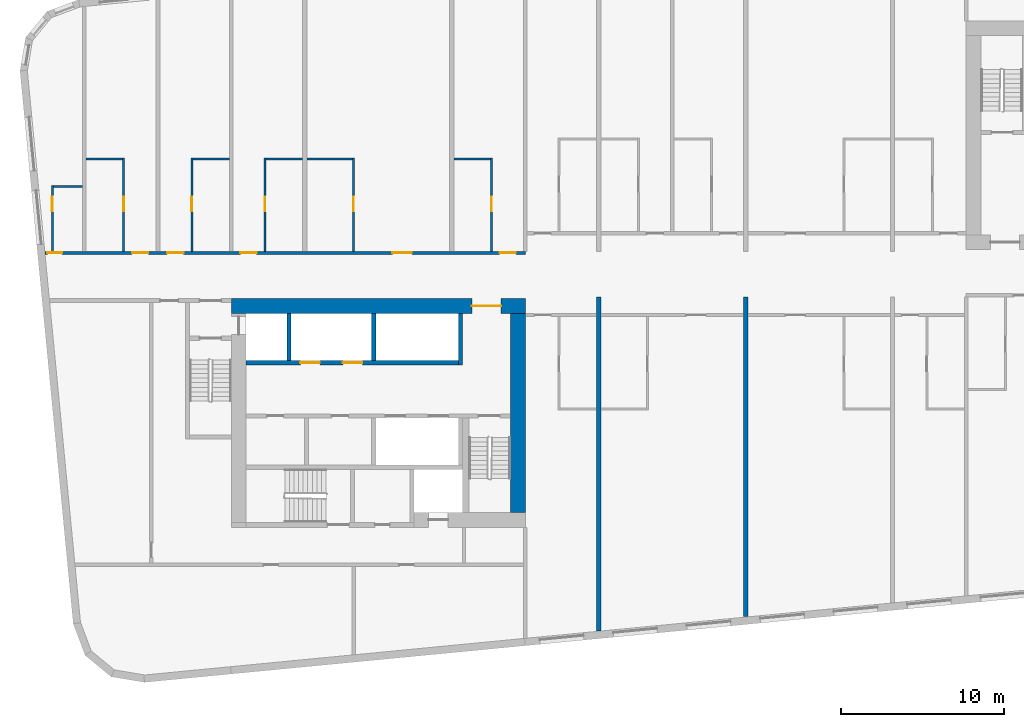
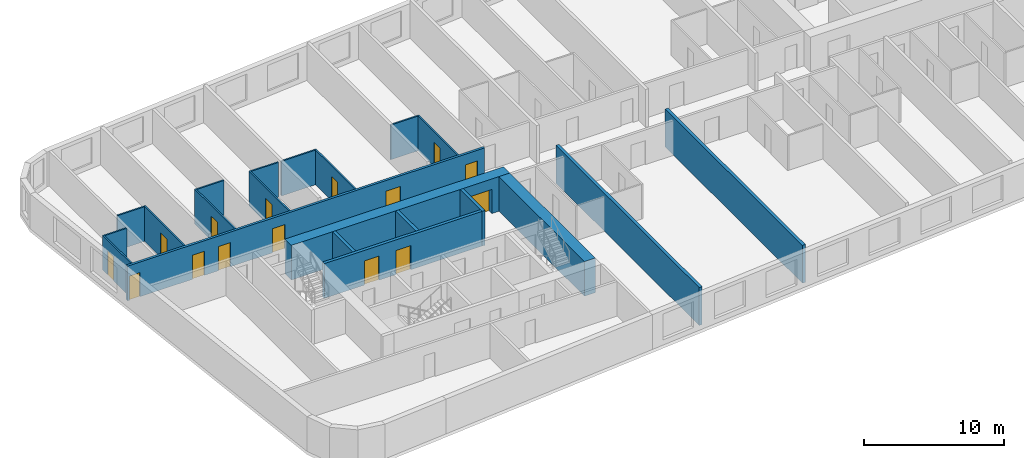
# One storey, part 3 of 12: 21 walls, 15 doors, 15 openings.
"""IFC4 building model written with IfcOpenShell, lengths in metres."""

from ifc_helpers import new_model, si_unit, direction, frame, frame_2d, origin, place, context, subcontext, project, spatial, rectangle, extrude, material, layer, layer_set, type_object, element, fill, save


model = new_model("IFC4")

# Units and contexts
model_context = context("Model", 3, precision=1e-05, world=origin(), true_north=direction((0.0, 1.0)))
body_context = subcontext(model_context, "Body", "Model", "MODEL_VIEW")
ifc_project = project(units=[si_unit("LENGTHUNIT", "METRE"), si_unit("AREAUNIT", "SQUARE_METRE"), si_unit("VOLUMEUNIT", "CUBIC_METRE"), si_unit("PLANEANGLEUNIT", "RADIAN"), si_unit("MASSUNIT", "GRAM", prefix="KILO")], contexts=[model_context])

# Site, building, storey
site_placement = place(None, origin())
site = spatial("IfcSite", under=ifc_project, at=site_placement, CompositionType="ELEMENT")
building_placement = place(site_placement, origin())
building = spatial("IfcBuilding", under=site, at=building_placement, Name="Kajstack Hotel Tower", CompositionType="ELEMENT")
storey_placement = place(building_placement, frame((0.0, 0.0, 173.5)))
storey = spatial("IfcBuildingStorey", under=building, at=storey_placement, Name="L40", CompositionType="ELEMENT", Elevation=173.5)

# Wall, opening, door
ifc_material_1 = material(Name="Concrete C60/75", Category="concrete")
ifc_layer_1 = layer(ifc_material_1, 0.89990234375)
ifc_layer_set_1 = layer_set([ifc_layer_1], Name="Core wall 900")
wall_type_1 = type_object("IfcWallType", Name="Core wall 900", PredefinedType="SHEAR", material=ifc_layer_set_1)
wall_1_placement = place(storey_placement, frame((-31.5, -1.949951171875, 0.0), z_axis=(0.0, 0.0, 1.0), x_axis=(1.0, 0.0, 0.0)))
wall_1 = element("IfcWall", 1, at=wall_1_placement, inside=storey, type_object=wall_type_1, Name="Core wall W RN", PredefinedType="SHEAR", context=body_context, shape_type="SweptSolid", body=[
    extrude(rectangle(XDim=18.0, YDim=0.89990234375, at=frame_2d((9.0, 0.0))), origin(), (0.0, 0.0, 1.0), 3.02001953125),
])
opening_1_placement = place(wall_1_placement, frame((14.72509765625, 0.0, 0.0)))
opening_1 = element("IfcOpeningElement", 2, at=opening_1_placement, cuts=wall_1, Name="Opening 40W07", PredefinedType="OPENING", context=body_context, shape_type="SweptSolid", body=[
    extrude(rectangle(XDim=1.800048828125, YDim=2.10009765625, at=frame_2d((0.89990234375, 1.050048828125))), frame((0.0, 0.4599609375, 0.0), z_axis=(0.0, -1.0, 0.0), x_axis=(1.0, 0.0, 0.0)), (0.0, 0.0, 1.0), 0.919921875),
])
ifc_material_2 = material(Name="Glazed steel frame, fire-rated glass", Category="steel")
door_type_1 = type_object("IfcDoorType", Name="Lobby double door 1800", OperationType="DOUBLE_DOOR_DOUBLE_SWING", PredefinedType="DOOR", material=ifc_material_2)
door_1_placement = place(opening_1_placement, origin())
door_1 = element("IfcDoor", 3, at=door_1_placement, inside=storey, type_object=door_type_1, Name="Door 40W07", OperationType="DOUBLE_DOOR_DOUBLE_SWING", OverallHeight=2.10009765625, OverallWidth=1.800048828125, PredefinedType="DOOR", context=body_context, shape_type="SweptSolid", body=[
    extrude(rectangle(XDim=1.800048828125, YDim=2.10009765625, at=frame_2d((0.89990234375, 1.050048828125))), frame((0.0, 0.02490234375, 0.0), z_axis=(0.0, -1.0, 0.0), x_axis=(1.0, 0.0, 0.0)), (0.0, 0.0, 1.0), 0.050048828125),
])
fill(opening_1, door_1)

# Wall
wall_2_placement = place(storey_placement, frame((-13.949951171875, -14.60009765625, 0.0), z_axis=(0.0, 0.0, 1.0), x_axis=(0.0, 1.0, 0.0)))
element("IfcWall", 4, at=wall_2_placement, inside=storey, type_object=wall_type_1, Name="Core wall W RE", PredefinedType="SHEAR", context=body_context, shape_type="SweptSolid", body=[
    extrude(rectangle(XDim=12.2001953125, YDim=0.89990234375, at=frame_2d((6.10009765625, 0.0))), origin(), (0.0, 0.0, 1.0), 3.02001953125),
])

# Wall, openings, doors
ifc_material_3 = material(Name="Gypsum board on steel studs, mineral wool", Category="steel")
ifc_layer_2 = layer(ifc_material_3, 0.199951171875)
ifc_layer_set_2 = layer_set([ifc_layer_2], Name="Corridor wall 200")
wall_type_2 = type_object("IfcWallType", Name="Corridor wall 200", PredefinedType="PARTITIONING", material=ifc_layer_set_2)
wall_3_placement = place(storey_placement, frame((-42.9130859375, 1.300048828125, 0.0), z_axis=(0.0, 0.0, 1.0), x_axis=(1.0, 0.0, 0.0)))
wall_3 = element("IfcWall", 5, at=wall_3_placement, inside=storey, type_object=wall_type_2, Name="G-wall-L40-003", PredefinedType="PARTITIONING", context=body_context, shape_type="SweptSolid", body=[
    extrude(rectangle(XDim=29.4130859375, YDim=0.199951171875, at=frame_2d((14.70654296875, 0.0))), origin(), (0.0, 0.0, 1.0), 3.02001953125),
])
opening_2_placement = place(wall_3_placement, frame((0.14990234375, 0.0, 0.0)))
opening_2 = element("IfcOpeningElement", 6, at=opening_2_placement, cuts=wall_3, Name="Opening 40001", PredefinedType="OPENING", context=body_context, shape_type="SweptSolid", body=[
    extrude(rectangle(XDim=0.89990234375, YDim=2.10009765625, at=frame_2d((0.449951171875, 1.050048828125))), frame((0.0, 0.10986328125, 0.0), z_axis=(0.0, -1.0, 0.0), x_axis=(1.0, 0.0, 0.0)), (0.0, 0.0, 1.0), 0.219970703125),
])
opening_3_placement = place(wall_3_placement, frame((5.337890625, 0.0, 0.0)))
opening_3 = element("IfcOpeningElement", 7, at=opening_3_placement, cuts=wall_3, Name="Opening 40003", PredefinedType="OPENING", context=body_context, shape_type="SweptSolid", body=[
    extrude(rectangle(XDim=1.0, YDim=2.10009765625, at=frame_2d((0.5, 1.050048828125))), frame((0.0, 0.10986328125, 0.0), z_axis=(0.0, -1.0, 0.0), x_axis=(1.0, 0.0, 0.0)), (0.0, 0.0, 1.0), 0.219970703125),
])
opening_4_placement = place(wall_3_placement, frame((7.488037109375, 0.0, 0.0)))
opening_4 = element("IfcOpeningElement", 8, at=opening_4_placement, cuts=wall_3, Name="Opening 40005", PredefinedType="OPENING", context=body_context, shape_type="SweptSolid", body=[
    extrude(rectangle(XDim=1.0, YDim=2.10009765625, at=frame_2d((0.5, 1.050048828125))), frame((0.0, 0.10986328125, 0.0), z_axis=(0.0, -1.0, 0.0), x_axis=(1.0, 0.0, 0.0)), (0.0, 0.0, 1.0), 0.219970703125),
])
opening_5_placement = place(wall_3_placement, frame((11.962890625, 0.0, 0.0)))
opening_5 = element("IfcOpeningElement", 9, at=opening_5_placement, cuts=wall_3, Name="Opening 40007", PredefinedType="OPENING", context=body_context, shape_type="SweptSolid", body=[
    extrude(rectangle(XDim=1.0, YDim=2.10009765625, at=frame_2d((0.5, 1.050048828125))), frame((0.0, 0.10986328125, 0.0), z_axis=(0.0, -1.0, 0.0), x_axis=(1.0, 0.0, 0.0)), (0.0, 0.0, 1.0), 0.219970703125),
])
opening_6_placement = place(wall_3_placement, frame((21.27490234375, 0.0, 0.0)))
opening_6 = element("IfcOpeningElement", 10, at=opening_6_placement, cuts=wall_3, Name="Opening 40009", PredefinedType="OPENING", context=body_context, shape_type="SweptSolid", body=[
    extrude(rectangle(XDim=1.199951171875, YDim=2.10009765625, at=frame_2d((0.60009765625, 1.050048828125))), frame((0.0, 0.10986328125, 0.0), z_axis=(0.0, -1.0, 0.0), x_axis=(1.0, 0.0, 0.0)), (0.0, 0.0, 1.0), 0.219970703125),
])
opening_7_placement = place(wall_3_placement, frame((27.837890625, 0.0, 0.0)))
opening_7 = element("IfcOpeningElement", 11, at=opening_7_placement, cuts=wall_3, Name="Opening 40011", PredefinedType="OPENING", context=body_context, shape_type="SweptSolid", body=[
    extrude(rectangle(XDim=1.0, YDim=2.10009765625, at=frame_2d((0.5, 1.050048828125))), frame((0.0, 0.10986328125, 0.0), z_axis=(0.0, -1.0, 0.0), x_axis=(1.0, 0.0, 0.0)), (0.0, 0.0, 1.0), 0.219970703125),
])
ifc_material_4 = material(Name="Oak veneer on timber core, fire-rated leaf", Category="wood")
door_type_2 = type_object("IfcDoorType", Name="Flat entrance door 1000", OperationType="SINGLE_SWING_LEFT", PredefinedType="DOOR", material=ifc_material_4)
door_2_placement = place(opening_3_placement, origin())
door_2 = element("IfcDoor", 12, at=door_2_placement, inside=storey, type_object=door_type_2, Name="G-door-L40-03", OperationType="SINGLE_SWING_LEFT", OverallHeight=2.10009765625, OverallWidth=1.0, PredefinedType="DOOR", context=body_context, shape_type="SweptSolid", body=[
    extrude(rectangle(XDim=1.0, YDim=2.10009765625, at=frame_2d((0.5, 1.050048828125))), frame((0.0, 0.02490234375, 0.0), z_axis=(0.0, -1.0, 0.0), x_axis=(1.0, 0.0, 0.0)), (0.0, 0.0, 1.0), 0.050048828125),
])
fill(opening_3, door_2)
door_3_placement = place(opening_4_placement, origin())
door_3 = element("IfcDoor", 13, at=door_3_placement, inside=storey, type_object=door_type_2, Name="G-door-L40-05", OperationType="SINGLE_SWING_RIGHT", OverallHeight=2.10009765625, OverallWidth=1.0, PredefinedType="DOOR", context=body_context, shape_type="SweptSolid", body=[
    extrude(rectangle(XDim=1.0, YDim=2.10009765625, at=frame_2d((0.5, 1.050048828125))), frame((0.0, 0.02490234375, 0.0), z_axis=(0.0, -1.0, 0.0), x_axis=(1.0, 0.0, 0.0)), (0.0, 0.0, 1.0), 0.050048828125),
])
fill(opening_4, door_3)
door_4_placement = place(opening_5_placement, origin())
door_4 = element("IfcDoor", 14, at=door_4_placement, inside=storey, type_object=door_type_2, Name="G-door-L40-07", OperationType="SINGLE_SWING_LEFT", OverallHeight=2.10009765625, OverallWidth=1.0, PredefinedType="DOOR", context=body_context, shape_type="SweptSolid", body=[
    extrude(rectangle(XDim=1.0, YDim=2.10009765625, at=frame_2d((0.5, 1.050048828125))), frame((0.0, 0.02490234375, 0.0), z_axis=(0.0, -1.0, 0.0), x_axis=(1.0, 0.0, 0.0)), (0.0, 0.0, 1.0), 0.050048828125),
])
fill(opening_5, door_4)
door_5_placement = place(opening_7_placement, origin())
door_5 = element("IfcDoor", 15, at=door_5_placement, inside=storey, type_object=door_type_2, Name="G-door-L40-11", OperationType="SINGLE_SWING_LEFT", OverallHeight=2.10009765625, OverallWidth=1.0, PredefinedType="DOOR", context=body_context, shape_type="SweptSolid", body=[
    extrude(rectangle(XDim=1.0, YDim=2.10009765625, at=frame_2d((0.5, 1.050048828125))), frame((0.0, 0.02490234375, 0.0), z_axis=(0.0, -1.0, 0.0), x_axis=(1.0, 0.0, 0.0)), (0.0, 0.0, 1.0), 0.050048828125),
])
fill(opening_7, door_5)
door_type_3 = type_object("IfcDoorType", Name="Flat entrance door 1200", OperationType="SINGLE_SWING_LEFT", PredefinedType="DOOR", material=ifc_material_4)
door_6_placement = place(opening_6_placement, origin())
door_6 = element("IfcDoor", 16, at=door_6_placement, inside=storey, type_object=door_type_3, Name="G-door-L40-09", OperationType="SINGLE_SWING_LEFT", OverallHeight=2.10009765625, OverallWidth=1.199951171875, PredefinedType="DOOR", context=body_context, shape_type="SweptSolid", body=[
    extrude(rectangle(XDim=1.199951171875, YDim=2.10009765625, at=frame_2d((0.60009765625, 1.050048828125))), frame((0.0, 0.02490234375, 0.0), z_axis=(0.0, -1.0, 0.0), x_axis=(1.0, 0.0, 0.0)), (0.0, 0.0, 1.0), 0.050048828125),
])
fill(opening_6, door_6)
ifc_material_5 = material(Name="Painted timber door leaf", Category="wood")
door_type_4 = type_object("IfcDoorType", Name="Room door 900", OperationType="SINGLE_SWING_LEFT", PredefinedType="DOOR", material=ifc_material_5)
door_7_placement = place(opening_2_placement, origin())
door_7 = element("IfcDoor", 17, at=door_7_placement, inside=storey, type_object=door_type_4, Name="G-door-L40-01", OperationType="SINGLE_SWING_RIGHT", OverallHeight=2.10009765625, OverallWidth=0.89990234375, PredefinedType="DOOR", context=body_context, shape_type="SweptSolid", body=[
    extrude(rectangle(XDim=0.89990234375, YDim=2.10009765625, at=frame_2d((0.449951171875, 1.050048828125))), frame((0.0, 0.02490234375, 0.0), z_axis=(0.0, -1.0, 0.0), x_axis=(1.0, 0.0, 0.0)), (0.0, 0.0, 1.0), 0.050048828125),
])
fill(opening_2, door_7)

# Wall, opening, door
ifc_material_6 = material(Name="Gypsum board and tiled backer on steel studs", Category="steel")
ifc_layer_3 = layer(ifc_material_6, 0.125)
ifc_layer_set_3 = layer_set([ifc_layer_3], Name="En-suite wall 125")
wall_type_3 = type_object("IfcWallType", Name="En-suite wall 125", PredefinedType="PARTITIONING", material=ifc_layer_set_3)
wall_4_placement = place(storey_placement, frame((-42.4619140625, 1.39990234375, 0.0), z_axis=(0.0, 0.0, 1.0), x_axis=(0.0, 1.0, 0.0)))
wall_4 = element("IfcWall", 18, at=wall_4_placement, inside=storey, type_object=wall_type_3, Name="G-wall-L40-006", PredefinedType="PARTITIONING", context=body_context, shape_type="SweptSolid", body=[
    extrude(rectangle(XDim=4.028076171875, YDim=0.125, at=frame_2d((2.01416015625, 0.0))), origin(), (0.0, 0.0, 1.0), 3.02001953125),
])
opening_8_placement = place(wall_4_placement, frame((2.449951171875, 0.0, 0.0)))
opening_8 = element("IfcOpeningElement", 19, at=opening_8_placement, cuts=wall_4, Name="Opening 40002", PredefinedType="OPENING", context=body_context, shape_type="SweptSolid", body=[
    extrude(rectangle(XDim=0.89990234375, YDim=2.10009765625, at=frame_2d((0.449951171875, 1.050048828125))), frame((0.0, 0.072509765625, 0.0), z_axis=(0.0, -1.0, 0.0), x_axis=(1.0, 0.0, 0.0)), (0.0, 0.0, 1.0), 0.14501953125),
])
door_8_placement = place(opening_8_placement, origin())
door_8 = element("IfcDoor", 20, at=door_8_placement, inside=storey, type_object=door_type_4, Name="G-door-L40-02", OperationType="SINGLE_SWING_LEFT", OverallHeight=2.10009765625, OverallWidth=0.89990234375, PredefinedType="DOOR", context=body_context, shape_type="SweptSolid", body=[
    extrude(rectangle(XDim=0.89990234375, YDim=2.10009765625, at=frame_2d((0.449951171875, 1.050048828125))), frame((0.0, 0.02490234375, 0.0), z_axis=(0.0, -1.0, 0.0), x_axis=(1.0, 0.0, 0.0)), (0.0, 0.0, 1.0), 0.050048828125),
])
fill(opening_8, door_8)

# Wall
wall_5_placement = place(storey_placement, frame((-42.39990234375, 5.365966796875, 0.0), z_axis=(0.0, 0.0, 1.0), x_axis=(1.0, 0.0, 0.0)))
element("IfcWall", 21, at=wall_5_placement, inside=storey, type_object=wall_type_3, Name="G-wall-L40-007", PredefinedType="PARTITIONING", context=body_context, shape_type="SweptSolid", body=[
    extrude(rectangle(XDim=1.7998046875, YDim=0.125, at=frame_2d((0.89990234375, 0.0))), origin(), (0.0, 0.0, 1.0), 3.02001953125),
])

# Wall, opening, door
wall_6_placement = place(storey_placement, frame((-38.0869140625, 1.39990234375, 0.0), z_axis=(0.0, 0.0, 1.0), x_axis=(0.0, 1.0, 0.0)))
wall_6 = element("IfcWall", 22, at=wall_6_placement, inside=storey, type_object=wall_type_3, Name="G-wall-L40-008", PredefinedType="PARTITIONING", context=body_context, shape_type="SweptSolid", body=[
    extrude(rectangle(XDim=5.72509765625, YDim=0.125, at=frame_2d((2.862548828125, 0.0))), origin(), (0.0, 0.0, 1.0), 3.02001953125),
])
opening_9_placement = place(wall_6_placement, frame((2.449951171875, 0.0, 0.0)))
opening_9 = element("IfcOpeningElement", 23, at=opening_9_placement, cuts=wall_6, Name="Opening 40004", PredefinedType="OPENING", context=body_context, shape_type="SweptSolid", body=[
    extrude(rectangle(XDim=0.89990234375, YDim=2.10009765625, at=frame_2d((0.449951171875, 1.050048828125))), frame((0.0, 0.072509765625, 0.0), z_axis=(0.0, -1.0, 0.0), x_axis=(1.0, 0.0, 0.0)), (0.0, 0.0, 1.0), 0.14501953125),
])
door_9_placement = place(opening_9_placement, origin())
door_9 = element("IfcDoor", 24, at=door_9_placement, inside=storey, type_object=door_type_4, Name="G-door-L40-04", OperationType="SINGLE_SWING_LEFT", OverallHeight=2.10009765625, OverallWidth=0.89990234375, PredefinedType="DOOR", context=body_context, shape_type="SweptSolid", body=[
    extrude(rectangle(XDim=0.89990234375, YDim=2.10009765625, at=frame_2d((0.449951171875, 1.050048828125))), frame((0.0, 0.02490234375, 0.0), z_axis=(0.0, -1.0, 0.0), x_axis=(1.0, 0.0, 0.0)), (0.0, 0.0, 1.0), 0.050048828125),
])
fill(opening_9, door_9)

# Wall
wall_7_placement = place(storey_placement, frame((-40.39990234375, 7.06201171875, 0.0), z_axis=(0.0, 0.0, 1.0), x_axis=(1.0, 0.0, 0.0)))
element("IfcWall", 25, at=wall_7_placement, inside=storey, type_object=wall_type_3, Name="G-wall-L40-009", PredefinedType="PARTITIONING", context=body_context, shape_type="SweptSolid", body=[
    extrude(rectangle(XDim=2.25, YDim=0.125, at=frame_2d((1.125, 0.0))), origin(), (0.0, 0.0, 1.0), 3.02001953125),
])

# Wall, opening, door
wall_8_placement = place(storey_placement, frame((-33.9130859375, 1.39990234375, 0.0), z_axis=(0.0, 0.0, 1.0), x_axis=(0.0, 1.0, 0.0)))
wall_8 = element("IfcWall", 26, at=wall_8_placement, inside=storey, type_object=wall_type_3, Name="G-wall-L40-011", PredefinedType="PARTITIONING", context=body_context, shape_type="SweptSolid", body=[
    extrude(rectangle(XDim=5.72509765625, YDim=0.125, at=frame_2d((2.862548828125, 0.0))), origin(), (0.0, 0.0, 1.0), 3.02001953125),
])
opening_10_placement = place(wall_8_placement, frame((2.449951171875, 0.0, 0.0)))
opening_10 = element("IfcOpeningElement", 27, at=opening_10_placement, cuts=wall_8, Name="Opening 40006", PredefinedType="OPENING", context=body_context, shape_type="SweptSolid", body=[
    extrude(rectangle(XDim=0.89990234375, YDim=2.10009765625, at=frame_2d((0.449951171875, 1.050048828125))), frame((0.0, 0.072509765625, 0.0), z_axis=(0.0, -1.0, 0.0), x_axis=(1.0, 0.0, 0.0)), (0.0, 0.0, 1.0), 0.14501953125),
])
door_10_placement = place(opening_10_placement, origin())
door_10 = element("IfcDoor", 28, at=door_10_placement, inside=storey, type_object=door_type_4, Name="G-door-L40-06", OperationType="SINGLE_SWING_RIGHT", OverallHeight=2.10009765625, OverallWidth=0.89990234375, PredefinedType="DOOR", context=body_context, shape_type="SweptSolid", body=[
    extrude(rectangle(XDim=0.89990234375, YDim=2.10009765625, at=frame_2d((0.449951171875, 1.050048828125))), frame((0.0, 0.02490234375, 0.0), z_axis=(0.0, -1.0, 0.0), x_axis=(1.0, 0.0, 0.0)), (0.0, 0.0, 1.0), 0.050048828125),
])
fill(opening_10, door_10)

# Wall
wall_9_placement = place(storey_placement, frame((-33.85009765625, 7.06201171875, 0.0), z_axis=(0.0, 0.0, 1.0), x_axis=(1.0, 0.0, 0.0)))
element("IfcWall", 29, at=wall_9_placement, inside=storey, type_object=wall_type_3, Name="G-wall-L40-012", PredefinedType="PARTITIONING", context=body_context, shape_type="SweptSolid", body=[
    extrude(rectangle(XDim=2.25, YDim=0.125, at=frame_2d((1.125, 0.0))), origin(), (0.0, 0.0, 1.0), 3.02001953125),
])

# Wall, opening, door
wall_10_placement = place(storey_placement, frame((-29.43798828125, 1.39990234375, 0.0), z_axis=(0.0, 0.0, 1.0), x_axis=(0.0, 1.0, 0.0)))
wall_10 = element("IfcWall", 30, at=wall_10_placement, inside=storey, type_object=wall_type_3, Name="G-wall-L40-013", PredefinedType="PARTITIONING", context=body_context, shape_type="SweptSolid", body=[
    extrude(rectangle(XDim=5.72509765625, YDim=0.125, at=frame_2d((2.862548828125, 0.0))), origin(), (0.0, 0.0, 1.0), 3.02001953125),
])
opening_11_placement = place(wall_10_placement, frame((2.449951171875, 0.0, 0.0)))
opening_11 = element("IfcOpeningElement", 31, at=opening_11_placement, cuts=wall_10, Name="Opening 40008", PredefinedType="OPENING", context=body_context, shape_type="SweptSolid", body=[
    extrude(rectangle(XDim=0.89990234375, YDim=2.10009765625, at=frame_2d((0.449951171875, 1.050048828125))), frame((0.0, 0.072509765625, 0.0), z_axis=(0.0, -1.0, 0.0), x_axis=(1.0, 0.0, 0.0)), (0.0, 0.0, 1.0), 0.14501953125),
])
door_11_placement = place(opening_11_placement, origin())
door_11 = element("IfcDoor", 32, at=door_11_placement, inside=storey, type_object=door_type_4, Name="G-door-L40-08", OperationType="SINGLE_SWING_RIGHT", OverallHeight=2.10009765625, OverallWidth=0.89990234375, PredefinedType="DOOR", context=body_context, shape_type="SweptSolid", body=[
    extrude(rectangle(XDim=0.89990234375, YDim=2.10009765625, at=frame_2d((0.449951171875, 1.050048828125))), frame((0.0, 0.02490234375, 0.0), z_axis=(0.0, -1.0, 0.0), x_axis=(1.0, 0.0, 0.0)), (0.0, 0.0, 1.0), 0.050048828125),
])
fill(opening_11, door_11)

# Wall
wall_11_placement = place(storey_placement, frame((-29.375, 7.06201171875, 0.0), z_axis=(0.0, 0.0, 1.0), x_axis=(1.0, 0.0, 0.0)))
element("IfcWall", 33, at=wall_11_placement, inside=storey, type_object=wall_type_3, Name="G-wall-L40-014", PredefinedType="PARTITIONING", context=body_context, shape_type="SweptSolid", body=[
    extrude(rectangle(XDim=2.25, YDim=0.125, at=frame_2d((1.125, 0.0))), origin(), (0.0, 0.0, 1.0), 3.02001953125),
])

# Wall, opening, door
wall_12_placement = place(storey_placement, frame((-24.011962890625, 1.39990234375, 0.0), z_axis=(0.0, 0.0, 1.0), x_axis=(0.0, 1.0, 0.0)))
wall_12 = element("IfcWall", 34, at=wall_12_placement, inside=storey, type_object=wall_type_3, Name="G-wall-L40-015", PredefinedType="PARTITIONING", context=body_context, shape_type="SweptSolid", body=[
    extrude(rectangle(XDim=5.72509765625, YDim=0.125, at=frame_2d((2.862548828125, 0.0))), origin(), (0.0, 0.0, 1.0), 3.02001953125),
])
opening_12_placement = place(wall_12_placement, frame((2.449951171875, 0.0, 0.0)))
opening_12 = element("IfcOpeningElement", 35, at=opening_12_placement, cuts=wall_12, Name="Opening 40010", PredefinedType="OPENING", context=body_context, shape_type="SweptSolid", body=[
    extrude(rectangle(XDim=0.89990234375, YDim=2.10009765625, at=frame_2d((0.449951171875, 1.050048828125))), frame((0.0, 0.072509765625, 0.0), z_axis=(0.0, -1.0, 0.0), x_axis=(1.0, 0.0, 0.0)), (0.0, 0.0, 1.0), 0.14501953125),
])
door_12_placement = place(opening_12_placement, origin())
door_12 = element("IfcDoor", 36, at=door_12_placement, inside=storey, type_object=door_type_4, Name="G-door-L40-10", OperationType="SINGLE_SWING_RIGHT", OverallHeight=2.10009765625, OverallWidth=0.89990234375, PredefinedType="DOOR", context=body_context, shape_type="SweptSolid", body=[
    extrude(rectangle(XDim=0.89990234375, YDim=2.10009765625, at=frame_2d((0.449951171875, 1.050048828125))), frame((0.0, 0.02490234375, 0.0), z_axis=(0.0, -1.0, 0.0), x_axis=(1.0, 0.0, 0.0)), (0.0, 0.0, 1.0), 0.050048828125),
])
fill(opening_12, door_12)

# Wall
wall_13_placement = place(storey_placement, frame((-26.875, 7.06201171875, 0.0), z_axis=(0.0, 0.0, 1.0), x_axis=(1.0, 0.0, 0.0)))
element("IfcWall", 37, at=wall_13_placement, inside=storey, type_object=wall_type_3, Name="G-wall-L40-016", PredefinedType="PARTITIONING", context=body_context, shape_type="SweptSolid", body=[
    extrude(rectangle(XDim=2.800048828125, YDim=0.125, at=frame_2d((1.39990234375, 0.0))), origin(), (0.0, 0.0, 1.0), 3.02001953125),
])

# Wall, opening, door
wall_14_placement = place(storey_placement, frame((-15.56201171875, 1.39990234375, 0.0), z_axis=(0.0, 0.0, 1.0), x_axis=(0.0, 1.0, 0.0)))
wall_14 = element("IfcWall", 38, at=wall_14_placement, inside=storey, type_object=wall_type_3, Name="G-wall-L40-018", PredefinedType="PARTITIONING", context=body_context, shape_type="SweptSolid", body=[
    extrude(rectangle(XDim=5.72509765625, YDim=0.125, at=frame_2d((2.862548828125, 0.0))), origin(), (0.0, 0.0, 1.0), 3.02001953125),
])
opening_13_placement = place(wall_14_placement, frame((2.449951171875, 0.0, 0.0)))
opening_13 = element("IfcOpeningElement", 39, at=opening_13_placement, cuts=wall_14, Name="Opening 40012", PredefinedType="OPENING", context=body_context, shape_type="SweptSolid", body=[
    extrude(rectangle(XDim=0.89990234375, YDim=2.10009765625, at=frame_2d((0.449951171875, 1.050048828125))), frame((0.0, 0.072509765625, 0.0), z_axis=(0.0, -1.0, 0.0), x_axis=(1.0, 0.0, 0.0)), (0.0, 0.0, 1.0), 0.14501953125),
])
door_13_placement = place(opening_13_placement, origin())
door_13 = element("IfcDoor", 40, at=door_13_placement, inside=storey, type_object=door_type_4, Name="G-door-L40-12", OperationType="SINGLE_SWING_RIGHT", OverallHeight=2.10009765625, OverallWidth=0.89990234375, PredefinedType="DOOR", context=body_context, shape_type="SweptSolid", body=[
    extrude(rectangle(XDim=0.89990234375, YDim=2.10009765625, at=frame_2d((0.449951171875, 1.050048828125))), frame((0.0, 0.02490234375, 0.0), z_axis=(0.0, -1.0, 0.0), x_axis=(1.0, 0.0, 0.0)), (0.0, 0.0, 1.0), 0.050048828125),
])
fill(opening_13, door_13)

# Walls
wall_15_placement = place(storey_placement, frame((-17.875, 7.06201171875, 0.0), z_axis=(0.0, 0.0, 1.0), x_axis=(1.0, 0.0, 0.0)))
element("IfcWall", 41, at=wall_15_placement, inside=storey, type_object=wall_type_3, Name="G-wall-L40-019", PredefinedType="PARTITIONING", context=body_context, shape_type="SweptSolid", body=[
    extrude(rectangle(XDim=2.25, YDim=0.125, at=frame_2d((1.125, 0.0))), origin(), (0.0, 0.0, 1.0), 3.02001953125),
])
ifc_material_7 = material(Name="Concrete C50/60", Category="concrete")
ifc_layer_4 = layer(ifc_material_7, 0.300048828125)
ifc_layer_set_4 = layer_set([ifc_layer_4], Name="Hoistway divider wall 300")
wall_type_4 = type_object("IfcWallType", Name="Hoistway divider wall 300", PredefinedType="SHEAR", material=ifc_layer_set_4)
wall_16_placement = place(storey_placement, frame((-22.77490234375, -5.300048828125, 0.0), z_axis=(0.0, 0.0, 1.0), x_axis=(0.0, 1.0, 0.0)))
element("IfcWall", 42, at=wall_16_placement, inside=storey, type_object=wall_type_4, Name="Core wall W AP2", PredefinedType="SHEAR", context=body_context, shape_type="SweptSolid", body=[
    extrude(rectangle(XDim=2.900146484375, YDim=0.25, at=frame_2d((1.4501953125, 0.0))), origin(), (0.0, 0.0, 1.0), 3.02001953125),
])
ifc_layer_5 = layer(ifc_material_7, 0.25)
ifc_layer_set_5 = layer_set([ifc_layer_5], Name="RC cross wall 250 C50/60")
wall_type_5 = type_object("IfcWallType", Name="RC cross wall 250 C50/60", PredefinedType="SHEAR", material=ifc_layer_set_5)
wall_17_placement = place(storey_placement, frame((-9.0, -21.84521484375, 0.0), z_axis=(0.0, 0.0, 1.0), x_axis=(0.0, 1.0, 0.0)))
element("IfcWall", 43, at=wall_17_placement, inside=storey, type_object=wall_type_5, Name="S-wall-L40-04", PredefinedType="SHEAR", context=body_context, shape_type="SweptSolid", body=[
    extrude(rectangle(XDim=20.4453125, YDim=0.25, at=frame_2d((10.22265625, 0.0))), origin(), (0.0, 0.0, 1.0), 3.300048828125),
])
wall_18_placement = place(storey_placement, frame((0.0, -20.978515625, 0.0), z_axis=(0.0, 0.0, 1.0), x_axis=(0.0, 1.0, 0.0)))
element("IfcWall", 44, at=wall_18_placement, inside=storey, type_object=wall_type_5, Name="S-wall-L40-06", PredefinedType="SHEAR", context=body_context, shape_type="SweptSolid", body=[
    extrude(rectangle(XDim=19.57861328125, YDim=0.25, at=frame_2d((9.789306640625, 0.0))), origin(), (0.0, 0.0, 1.0), 3.300048828125),
])

# Wall, openings, doors
ifc_layer_6 = layer(ifc_material_7, 0.25)
ifc_layer_set_6 = layer_set([ifc_layer_6], Name="Shaft wall 250")
wall_type_6 = type_object("IfcWallType", Name="Shaft wall 250", PredefinedType="SHEAR", material=ifc_layer_set_6)
wall_19_placement = place(storey_placement, frame((-30.60009765625, -5.425048828125, 0.0), z_axis=(0.0, 0.0, 1.0), x_axis=(1.0, 0.0, 0.0)))
wall_19 = element("IfcWall", 45, at=wall_19_placement, inside=storey, type_object=wall_type_6, Name="Core wall W FA", PredefinedType="SHEAR", context=body_context, shape_type="SweptSolid", body=[
    extrude(rectangle(XDim=13.0, YDim=0.25, at=frame_2d((6.5, 0.0))), origin(), (0.0, 0.0, 1.0), 3.02001953125),
])
opening_14_placement = place(wall_19_placement, frame((3.324951171875, 0.0, 0.0)))
opening_14 = element("IfcOpeningElement", 46, at=opening_14_placement, cuts=wall_19, Name="Opening LD-MR3", PredefinedType="OPENING", context=body_context, shape_type="SweptSolid", body=[
    extrude(rectangle(XDim=1.199951171875, YDim=2.10009765625, at=frame_2d((0.60009765625, 1.050048828125))), frame((0.0, 0.135009765625, 0.0), z_axis=(0.0, -1.0, 0.0), x_axis=(1.0, 0.0, 0.0)), (0.0, 0.0, 1.0), 0.27001953125),
])
opening_15_placement = place(wall_19_placement, frame((5.925048828125, 0.0, 0.0)))
opening_15 = element("IfcOpeningElement", 47, at=opening_15_placement, cuts=wall_19, Name="Opening LD-MR4", PredefinedType="OPENING", context=body_context, shape_type="SweptSolid", body=[
    extrude(rectangle(XDim=1.199951171875, YDim=2.10009765625, at=frame_2d((0.60009765625, 1.050048828125))), frame((0.0, 0.135009765625, 0.0), z_axis=(0.0, -1.0, 0.0), x_axis=(1.0, 0.0, 0.0)), (0.0, 0.0, 1.0), 0.27001953125),
])
ifc_material_8 = material(Name="Stainless steel", Category="steel")
door_type_5 = type_object("IfcDoorType", Name="Lift landing door 1200", OperationType="SLIDING_TO_LEFT", PredefinedType="DOOR", material=ifc_material_8)
door_14_placement = place(opening_14_placement, origin())
door_14 = element("IfcDoor", 48, at=door_14_placement, inside=storey, type_object=door_type_5, Name="Landing door MR3", OperationType="SLIDING_TO_RIGHT", OverallHeight=2.10009765625, OverallWidth=1.199951171875, PredefinedType="DOOR", context=body_context, shape_type="SweptSolid", body=[
    extrude(rectangle(XDim=1.199951171875, YDim=2.10009765625, at=frame_2d((0.60009765625, 1.050048828125))), frame((0.0, 0.02490234375, 0.0), z_axis=(0.0, -1.0, 0.0), x_axis=(1.0, 0.0, 0.0)), (0.0, 0.0, 1.0), 0.050048828125),
])
fill(opening_14, door_14)
door_15_placement = place(opening_15_placement, origin())
door_15 = element("IfcDoor", 49, at=door_15_placement, inside=storey, type_object=door_type_5, Name="Landing door MR4", OperationType="SLIDING_TO_RIGHT", OverallHeight=2.10009765625, OverallWidth=1.199951171875, PredefinedType="DOOR", context=body_context, shape_type="SweptSolid", body=[
    extrude(rectangle(XDim=1.199951171875, YDim=2.10009765625, at=frame_2d((0.60009765625, 1.050048828125))), frame((0.0, 0.02490234375, 0.0), z_axis=(0.0, -1.0, 0.0), x_axis=(1.0, 0.0, 0.0)), (0.0, 0.0, 1.0), 0.050048828125),
])
fill(opening_15, door_15)

# Walls
wall_20_placement = place(storey_placement, frame((-17.47509765625, -5.550048828125, 0.0), z_axis=(0.0, 0.0, 1.0), x_axis=(0.0, 1.0, 0.0)))
element("IfcWall", 50, at=wall_20_placement, inside=storey, type_object=wall_type_6, Name="Core wall W AE", PredefinedType="SHEAR", context=body_context, shape_type="SweptSolid", body=[
    extrude(rectangle(XDim=3.150146484375, YDim=0.25, at=frame_2d((1.5751953125, 0.0))), origin(), (0.0, 0.0, 1.0), 3.02001953125),
])
wall_21_placement = place(storey_placement, frame((-27.97509765625, -5.300048828125, 0.0), z_axis=(0.0, 0.0, 1.0), x_axis=(0.0, 1.0, 0.0)))
element("IfcWall", 51, at=wall_21_placement, inside=storey, type_object=wall_type_6, Name="Core wall W AP0", PredefinedType="SHEAR", context=body_context, shape_type="SweptSolid", body=[
    extrude(rectangle(XDim=2.900146484375, YDim=0.25, at=frame_2d((1.4501953125, 0.0))), origin(), (0.0, 0.0, 1.0), 3.02001953125),
])

save(model, "model.ifc")
